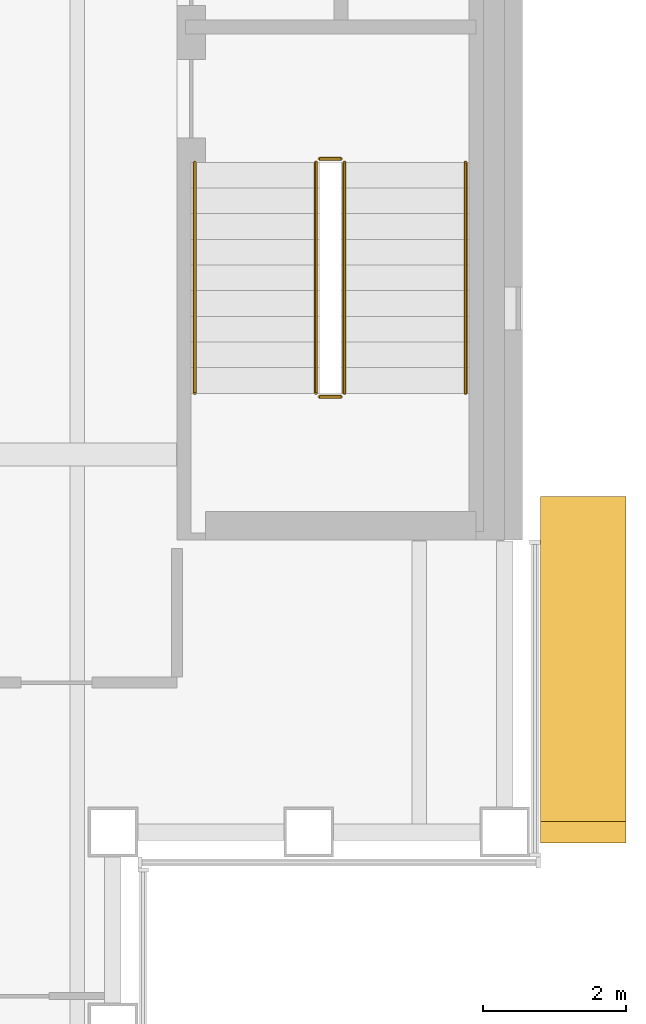
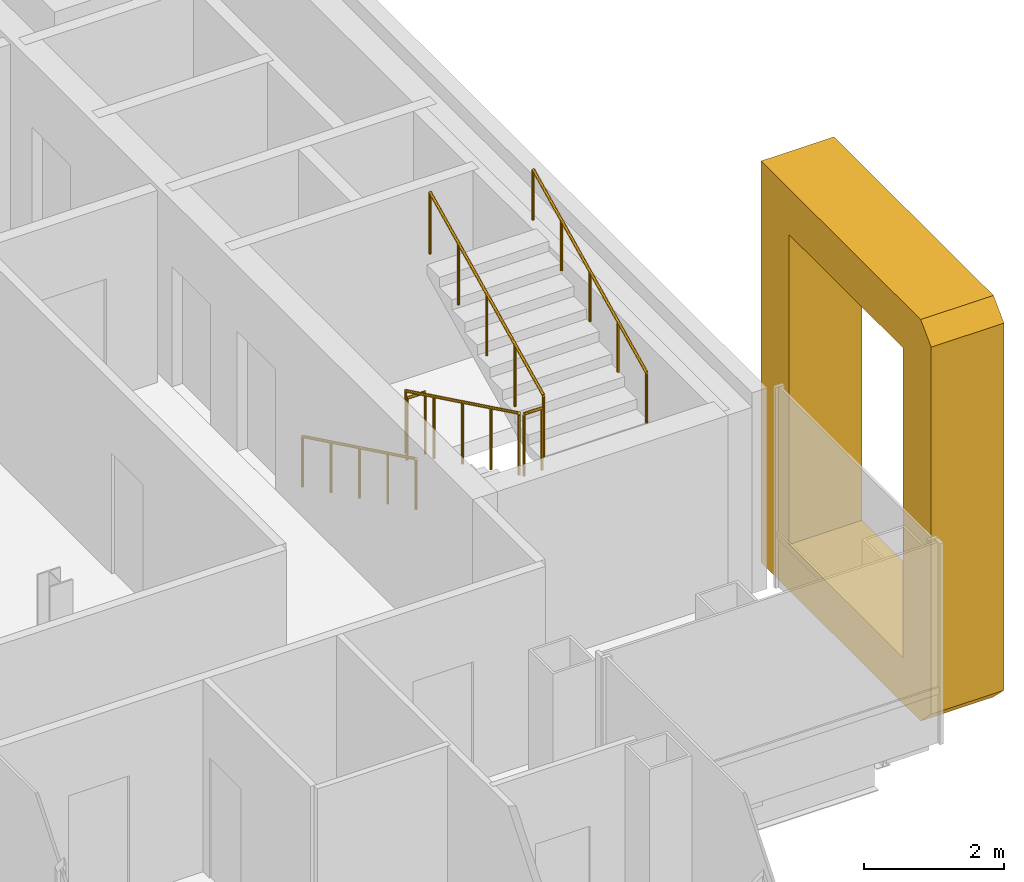
# One storey, part 15 of 17: 6 railings, 1 covering.
"""IFC4 building model written with IfcOpenShell, lengths in metres."""

from ifc_helpers import new_model, si_unit, direction, frame, origin, origin_2d, place, context, subcontext, project, spatial, polyline, circle, outline, extrude, material, type_object, element, save


model = new_model("IFC4")

# Units and contexts
model_context = context("Model", 3, precision=1e-05, world=origin(), true_north=direction((0.0, 1.0)))
body_context = subcontext(model_context, "Body", "Model", "MODEL_VIEW")
ifc_project = project(units=[si_unit("LENGTHUNIT", "METRE"), si_unit("AREAUNIT", "SQUARE_METRE"), si_unit("VOLUMEUNIT", "CUBIC_METRE"), si_unit("PLANEANGLEUNIT", "RADIAN"), si_unit("MASSUNIT", "GRAM", prefix="KILO")], contexts=[model_context])

# Site, building, storey
site_placement = place(None, origin())
site = spatial("IfcSite", under=ifc_project, at=site_placement, CompositionType="ELEMENT")
building_placement = place(site_placement, origin())
building = spatial("IfcBuilding", under=site, at=building_placement, Name="Cobrizo Arcos Hotel Tower", CompositionType="ELEMENT")
storey_placement = place(building_placement, frame((0.0, 0.0, 219.0)))
storey = spatial("IfcBuildingStorey", under=building, at=storey_placement, Name="L57", CompositionType="ELEMENT", Elevation=219.0)

# Covering
ifc_material_1 = material(Name="Aluminium 6063-T6 anodised bronze", Category="aluminium")
covering_type = type_object("IfcCoveringType", Name="FIN-F 1200", PredefinedType="CLADDING", material=ifc_material_1)
covering_placement = place(storey_placement, frame((20.89990234375, -15.050048828125, 0.0), z_axis=(1.0, 0.0, 0.0), x_axis=(0.0, 1.0, 0.0)))
element("IfcCovering", 1, at=covering_placement, inside=storey, type_object=covering_type, Name="Fin frame 321", PredefinedType="CLADDING", context=body_context, shape_type="SweptSolid", body=[
    extrude(outline(polyline([(0.0, 0.300048828125), (0.300048828125, 0.0), (4.8583984375, 0.0), (4.8583984375, 7.0), (0.300048828125, 7.0), (0.0, 6.699951171875), (0.0, 0.300048828125)]), holes=[polyline([(4.058349609375, 0.800048828125), (0.800048828125, 0.800048828125), (0.800048828125, 6.199951171875), (4.058349609375, 6.199951171875), (4.058349609375, 0.800048828125)])]), origin(), (0.0, 0.0, 1.0), 1.2001953125),
])

# Railings
ifc_material_2 = material(Name="Stainless steel railing", Category="steel")
railing_type_1 = type_object("IfcRailingType", Name="Stair guard 1100", PredefinedType="GUARDRAIL", material=ifc_material_2)
railing_1_placement = place(storey_placement, frame((17.75, -5.5, 0.175048828125)))
element("IfcRailing", 2, at=railing_1_placement, inside=storey, type_object=railing_type_1, Name="L57 ST-E stair guard 1", PredefinedType="GUARDRAIL", context=body_context, shape_type="SweptSolid", body=[
    extrude(circle(Radius=0.02392578125, at=origin_2d()), frame((0.0, 0.0, 1.076171875), z_axis=(0.0, -0.899372665325, 0.437182809435), x_axis=(1.0, 0.0, 0.0)), (0.0, 0.0, 1.0), 3.6025390625),
    extrude(circle(Radius=0.02099609375, at=origin_2d()), origin(), (0.0, 0.0, 1.0), 1.052001953125),
    extrude(circle(Radius=0.02099609375, at=origin_2d()), frame((0.0, -0.81005859375, 0.393798828125)), (0.0, 0.0, 1.0), 1.052001953125),
    extrude(circle(Radius=0.02099609375, at=origin_2d()), frame((0.0, -1.6201171875, 0.78759765625)), (0.0, 0.0, 1.0), 1.052001953125),
    extrude(circle(Radius=0.02099609375, at=origin_2d()), frame((0.0, -2.429931640625, 1.18115234375)), (0.0, 0.0, 1.0), 1.052001953125),
    extrude(circle(Radius=0.02099609375, at=origin_2d()), frame((0.0, -3.239990234375, 1.574951171875)), (0.0, 0.0, 1.0), 1.052001953125),
])
railing_2_placement = place(storey_placement, frame((17.800048828125, -8.7900390625, 1.75)))
element("IfcRailing", 3, at=railing_2_placement, inside=storey, type_object=railing_type_1, Name="L57 ST-E stair guard 2", PredefinedType="GUARDRAIL", context=body_context, shape_type="SweptSolid", body=[
    extrude(circle(Radius=0.02392578125, at=origin_2d()), frame((0.0, 0.0, 1.076171875), z_axis=(1.0, 0.0, 0.0), x_axis=(0.0, 1.0, 0.0)), (0.0, 0.0, 1.0), 0.300048828125),
    extrude(circle(Radius=0.02099609375, at=origin_2d()), origin(), (0.0, 0.0, 1.0), 1.052001953125),
    extrude(circle(Radius=0.02099609375, at=origin_2d()), frame((0.300048828125, 0.0, 0.0)), (0.0, 0.0, 1.0), 1.052001953125),
])
railing_3_placement = place(storey_placement, frame((18.14990234375, -8.739990234375, 1.925048828125)))
element("IfcRailing", 4, at=railing_3_placement, inside=storey, type_object=railing_type_1, Name="L57 ST-E stair guard 3", PredefinedType="GUARDRAIL", context=body_context, shape_type="SweptSolid", body=[
    extrude(circle(Radius=0.02392578125, at=origin_2d()), frame((0.0, 0.0, 1.076171875), z_axis=(0.0, 0.899372665325, 0.437182809435), x_axis=(-1.0, 0.0, 0.0)), (0.0, 0.0, 1.0), 3.6025390625),
    extrude(circle(Radius=0.02099609375, at=origin_2d()), origin(), (0.0, 0.0, 1.0), 1.052001953125),
    extrude(circle(Radius=0.02099609375, at=origin_2d()), frame((0.0, 0.81005859375, 0.393798828125)), (0.0, 0.0, 1.0), 1.052001953125),
    extrude(circle(Radius=0.02099609375, at=origin_2d()), frame((0.0, 1.6201171875, 0.78759765625)), (0.0, 0.0, 1.0), 1.052001953125),
    extrude(circle(Radius=0.02099609375, at=origin_2d()), frame((0.0, 2.429931640625, 1.18115234375)), (0.0, 0.0, 1.0), 1.052001953125),
    extrude(circle(Radius=0.02099609375, at=origin_2d()), frame((0.0, 3.239990234375, 1.574951171875)), (0.0, 0.0, 1.0), 1.052001953125),
])
railing_4_placement = place(storey_placement, frame((17.800048828125, -5.449951171875, 0.0)))
element("IfcRailing", 5, at=railing_4_placement, inside=storey, type_object=railing_type_1, Name="L57 ST-E stair guard 4", PredefinedType="GUARDRAIL", context=body_context, shape_type="SweptSolid", body=[
    extrude(circle(Radius=0.02392578125, at=origin_2d()), frame((0.0, 0.0, 1.076171875), z_axis=(1.0, 0.0, 0.0), x_axis=(0.0, 1.0, 0.0)), (0.0, 0.0, 1.0), 0.300048828125),
    extrude(circle(Radius=0.02099609375, at=origin_2d()), origin(), (0.0, 0.0, 1.0), 1.052001953125),
    extrude(circle(Radius=0.02099609375, at=origin_2d()), frame((0.300048828125, 0.0, 0.0)), (0.0, 0.0, 1.0), 1.052001953125),
])
railing_type_2 = type_object("IfcRailingType", Name="Stair handrail", PredefinedType="HANDRAIL", material=ifc_material_2)
railing_5_placement = place(storey_placement, frame((16.050048828125, -5.5, 0.175048828125)))
element("IfcRailing", 6, at=railing_5_placement, inside=storey, type_object=railing_type_2, Name="L57 ST-E stair handrail 1", PredefinedType="HANDRAIL", context=body_context, shape_type="SweptSolid", body=[
    extrude(circle(Radius=0.02392578125, at=origin_2d()), frame((0.0, 0.0, 0.8759765625), z_axis=(0.0, -0.899372665325, 0.437182809435), x_axis=(1.0, 0.0, 0.0)), (0.0, 0.0, 1.0), 3.6025390625),
    extrude(circle(Radius=0.02099609375, at=origin_2d()), origin(), (0.0, 0.0, 1.0), 0.851806640625),
    extrude(circle(Radius=0.02099609375, at=origin_2d()), frame((0.0, -0.81005859375, 0.393798828125)), (0.0, 0.0, 1.0), 0.851806640625),
    extrude(circle(Radius=0.02099609375, at=origin_2d()), frame((0.0, -1.6201171875, 0.78759765625)), (0.0, 0.0, 1.0), 0.851806640625),
    extrude(circle(Radius=0.02099609375, at=origin_2d()), frame((0.0, -2.429931640625, 1.18115234375)), (0.0, 0.0, 1.0), 0.851806640625),
    extrude(circle(Radius=0.02099609375, at=origin_2d()), frame((0.0, -3.239990234375, 1.574951171875)), (0.0, 0.0, 1.0), 0.851806640625),
])
railing_6_placement = place(storey_placement, frame((19.85009765625, -8.739990234375, 1.925048828125)))
element("IfcRailing", 7, at=railing_6_placement, inside=storey, type_object=railing_type_2, Name="L57 ST-E stair handrail 2", PredefinedType="HANDRAIL", context=body_context, shape_type="SweptSolid", body=[
    extrude(circle(Radius=0.02392578125, at=origin_2d()), frame((0.0, 0.0, 0.8759765625), z_axis=(0.0, 0.899372665325, 0.437182809435), x_axis=(-1.0, 0.0, 0.0)), (0.0, 0.0, 1.0), 3.6025390625),
    extrude(circle(Radius=0.02099609375, at=origin_2d()), origin(), (0.0, 0.0, 1.0), 0.851806640625),
    extrude(circle(Radius=0.02099609375, at=origin_2d()), frame((0.0, 0.81005859375, 0.393798828125)), (0.0, 0.0, 1.0), 0.851806640625),
    extrude(circle(Radius=0.02099609375, at=origin_2d()), frame((0.0, 1.6201171875, 0.78759765625)), (0.0, 0.0, 1.0), 0.851806640625),
    extrude(circle(Radius=0.02099609375, at=origin_2d()), frame((0.0, 2.429931640625, 1.18115234375)), (0.0, 0.0, 1.0), 0.851806640625),
    extrude(circle(Radius=0.02099609375, at=origin_2d()), frame((0.0, 3.239990234375, 1.574951171875)), (0.0, 0.0, 1.0), 0.851806640625),
])

save(model, "model.ifc")
